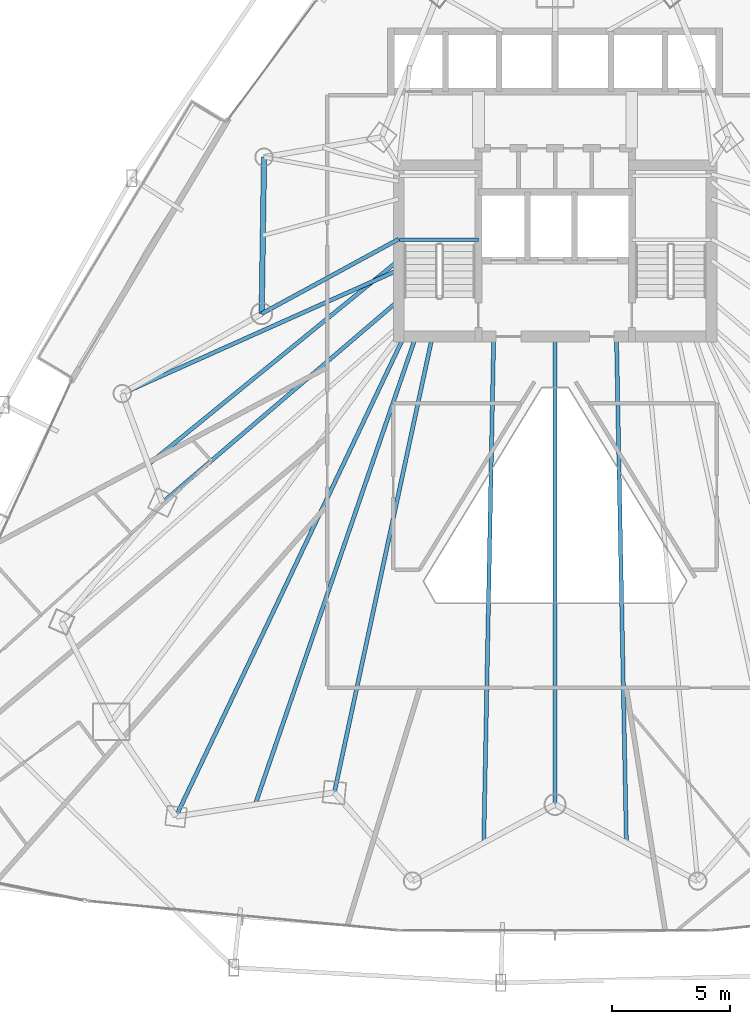
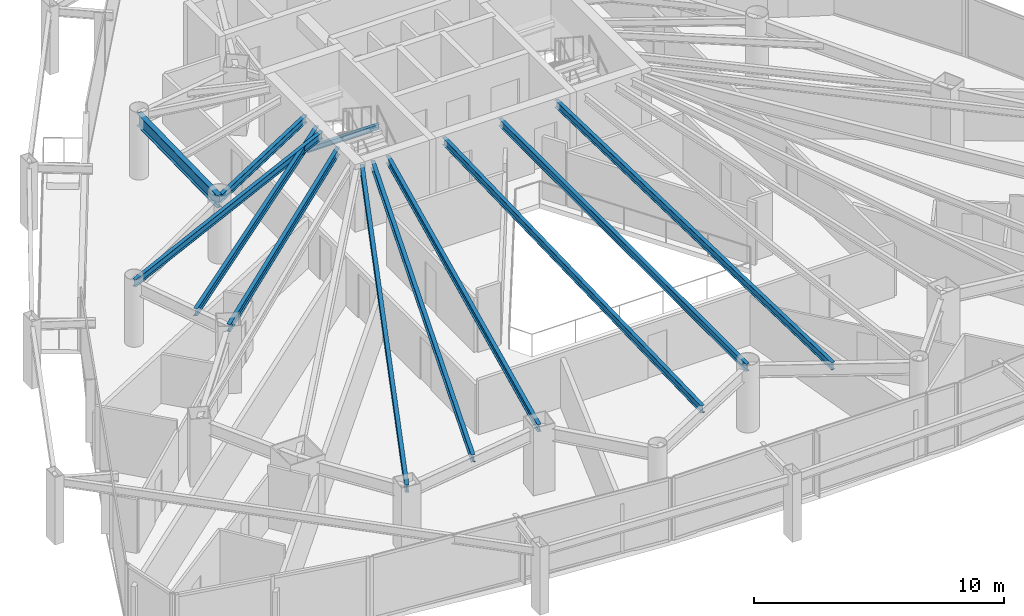
# One storey, part 12 of 38: 12 beams.
"""IFC4 building model written with IfcOpenShell, lengths in metres."""

from ifc_helpers import new_model, si_unit, direction, frame, origin, origin_2d, place, context, subcontext, project, spatial, i_section, extrude, material, material_profile, profile_set, type_object, element, save


model = new_model("IFC4")

# Units and contexts
model_context = context("Model", 3, precision=1e-05, world=origin(), true_north=direction((0.0, 1.0)))
body_context = subcontext(model_context, "Body", "Model", "MODEL_VIEW")
ifc_project = project(units=[si_unit("LENGTHUNIT", "METRE"), si_unit("AREAUNIT", "SQUARE_METRE"), si_unit("VOLUMEUNIT", "CUBIC_METRE"), si_unit("PLANEANGLEUNIT", "RADIAN"), si_unit("MASSUNIT", "GRAM", prefix="KILO")], contexts=[model_context])

# Site, building, storey
site_placement = place(None, origin())
site = spatial("IfcSite", under=ifc_project, at=site_placement, CompositionType="ELEMENT")
building_placement = place(site_placement, origin())
building = spatial("IfcBuilding", under=site, at=building_placement, Name="Orvanel Arch Residences", CompositionType="ELEMENT")
storey_placement = place(building_placement, frame((0.0, 0.0, 43.39990234375)))
storey = spatial("IfcBuildingStorey", under=building, at=storey_placement, Name="L11", CompositionType="ELEMENT", Elevation=43.39990234375)

# Beams
ifc_material = material(Name="Structural steel AS/NZS 3679.1 Grade 300 (300 MPa)", Category="steel")
ifc_material_profile_1 = material_profile(ifc_material, i_section(OverallWidth=0.14599609375, OverallDepth=0.251953125, WebThickness=0.006103515625, FlangeThickness=0.008544921875, at=origin_2d()), Name="250UB31.4")
ifc_profile_set_1 = profile_set([ifc_material_profile_1], Name="Structural steel AS/NZS 3679.1 Grade 300 (300 MPa)")
beam_type_1 = type_object("IfcBeamType", Name="BJ-250UB", PredefinedType="JOIST", material=ifc_profile_set_1)
beam_1_placement = place(storey_placement, frame((26.39990234375, 30.780029296875, 1.32421875), z_axis=(1.0, 0.0, 0.0), x_axis=(0.0, 1.0, 0.0)))
element("IfcBeam", 1, at=beam_1_placement, inside=storey, type_object=beam_type_1, Name="L11 ST-1 Half-Landing Support Beam 1.1", PredefinedType="JOIST", context=body_context, shape_type="SweptSolid", body=[
    extrude(i_section(OverallWidth=0.14599609375, OverallDepth=0.251953125, WebThickness=0.006103515625, FlangeThickness=0.008544921875, at=origin_2d()), origin(), (0.0, 0.0, 1.0), 3.35009765625),
])
ifc_material_profile_2 = material_profile(ifc_material, i_section(OverallWidth=0.1708984375, OverallDepth=0.35595703125, WebThickness=0.00732421875, FlangeThickness=0.011474609375, at=origin_2d()), Name="360UB50.7")
ifc_profile_set_2 = profile_set([ifc_material_profile_2], Name="Structural steel AS/NZS 3679.1 Grade 300 (300 MPa)")
beam_type_2 = type_object("IfcBeamType", Name="BJ-360UB", PredefinedType="JOIST", material=ifc_profile_set_2)
beam_2_placement = place(storey_placement, frame((26.375, 30.800048828125, 2.882080078125), z_axis=(-0.878399029914, -0.477927969726, 0.0), x_axis=(0.477927969726, -0.878399029914, 0.0)))
element("IfcBeam", 2, at=beam_2_placement, inside=storey, type_object=beam_type_2, Name="L11 NW Wing Floor Joist", PredefinedType="JOIST", context=body_context, shape_type="SweptSolid", body=[
    extrude(i_section(OverallWidth=0.1708984375, OverallDepth=0.35595703125, WebThickness=0.00732421875, FlangeThickness=0.011474609375, at=origin_2d()), origin(), (0.0, 0.0, 1.0), 6.609619140625),
])
beam_3_placement = place(storey_placement, frame((26.375, 28.199951171875, 2.882080078125), z_axis=(-0.760024297953, -0.649894658018, 0.0), x_axis=(0.649894658018, -0.760024297953, 0.0)))
element("IfcBeam", 3, at=beam_3_placement, inside=storey, type_object=beam_type_2, Name="L11 W Wing Floor Joist", PredefinedType="JOIST", context=body_context, shape_type="SweptSolid", body=[
    extrude(i_section(OverallWidth=0.1708984375, OverallDepth=0.35595703125, WebThickness=0.00732421875, FlangeThickness=0.011474609375, at=origin_2d()), origin(), (0.0, 0.0, 1.0), 13.16796875),
])
beam_4_placement = place(storey_placement, frame((27.800048828125, 26.675048828125, 2.882080078125), z_axis=(-0.210066515515, -0.977687096703, 0.0), x_axis=(0.977687096703, -0.210066515515, 0.0)))
element("IfcBeam", 4, at=beam_4_placement, inside=storey, type_object=beam_type_2, Name="L11 SW Wing Floor Joist", PredefinedType="JOIST", context=body_context, shape_type="SweptSolid", body=[
    extrude(i_section(OverallWidth=0.1708984375, OverallDepth=0.35595703125, WebThickness=0.00732421875, FlangeThickness=0.011474609375, at=origin_2d()), origin(), (0.0, 0.0, 1.0), 19.760986328125),
])
beam_5_placement = place(storey_placement, frame((33.0, 26.675048828125, 2.882080078125), z_axis=(0.0, -1.0, 0.0), x_axis=(1.0, 0.0, 0.0)))
element("IfcBeam", 5, at=beam_5_placement, inside=storey, type_object=beam_type_2, Name="L11 SSW Wing Floor Joist", PredefinedType="JOIST", context=body_context, shape_type="SweptSolid", body=[
    extrude(i_section(OverallWidth=0.1708984375, OverallDepth=0.35595703125, WebThickness=0.00732421875, FlangeThickness=0.011474609375, at=origin_2d()), origin(), (0.0, 0.0, 1.0), 19.8310546875),
])
for number, where, z_axis, x_axis, name in (
    (6, (30.39990234375, 26.675048828125, 2.882080078125), (-0.019617680075, -0.999807554797, 0.0), (0.999807554797, -0.019617680075, 0.0), "L11 WSW2 Wing Floor Joist"),
    (7, (35.60009765625, 26.675048828125, 2.882080078125), (0.019617680075, -0.999807554797, 0.0), (0.999807554797, 0.019617680075, 0.0), "L11 ESE2 Wing Floor Joist"),
):
    element("IfcBeam", number, at=place(storey_placement, frame(where, z_axis=z_axis, x_axis=x_axis)), inside=storey, type_object=beam_type_2, Name=name, PredefinedType="JOIST", context=body_context, shape_type="SweptSolid", body=[
        extrude(i_section(OverallWidth=0.1708984375, OverallDepth=0.35595703125, WebThickness=0.00732421875, FlangeThickness=0.011474609375, at=origin_2d()), origin(), (0.0, 0.0, 1.0), 21.455078125),
    ])
beam_6_placement = place(storey_placement, frame((26.60009765625, 26.675048828125, 2.882080078125), z_axis=(-0.429042657795, -0.903284228686, 0.0), x_axis=(0.903284228686, -0.429042657795, 0.0)))
element("IfcBeam", 8, at=beam_6_placement, inside=storey, type_object=beam_type_2, Name="L11 MSW Wing Floor Joist", PredefinedType="JOIST", context=body_context, shape_type="SweptSolid", body=[
    extrude(i_section(OverallWidth=0.1708984375, OverallDepth=0.35595703125, WebThickness=0.00732421875, FlangeThickness=0.011474609375, at=origin_2d()), origin(), (0.0, 0.0, 1.0), 22.513427734375),
])
beam_7_placement = place(storey_placement, frame((26.375, 29.5, 2.882080078125), z_axis=(-0.912704378681, -0.408620505038, 0.0), x_axis=(0.408620505038, -0.912704378681, 0.0)))
element("IfcBeam", 9, at=beam_7_placement, inside=storey, type_object=beam_type_2, Name="L11 LSW Wing Floor Joist", PredefinedType="JOIST", context=body_context, shape_type="SweptSolid", body=[
    extrude(i_section(OverallWidth=0.1708984375, OverallDepth=0.35595703125, WebThickness=0.00732421875, FlangeThickness=0.011474609375, at=origin_2d()), origin(), (0.0, 0.0, 1.0), 12.833251953125),
])
beam_8_placement = place(storey_placement, frame((26.375, 29.89990234375, 2.882080078125), z_axis=(-0.775173162495, -0.631748817291, 0.0), x_axis=(0.631748817291, -0.775173162495, 0.0)))
element("IfcBeam", 10, at=beam_8_placement, inside=storey, type_object=beam_type_2, Name="L11 CTW Wing Floor Joist", PredefinedType="JOIST", context=body_context, shape_type="SweptSolid", body=[
    extrude(i_section(OverallWidth=0.1708984375, OverallDepth=0.35595703125, WebThickness=0.00732421875, FlangeThickness=0.011474609375, at=origin_2d()), origin(), (0.0, 0.0, 1.0), 13.680908203125),
])
beam_9_placement = place(storey_placement, frame((27.10009765625, 26.675048828125, 2.882080078125), z_axis=(-0.324621456495, -0.945844019901, 0.0), x_axis=(0.945844019901, -0.324621456495, 0.0)))
element("IfcBeam", 11, at=beam_9_placement, inside=storey, type_object=beam_type_2, Name="L11 JADD1 Wing Floor Joist", PredefinedType="JOIST", context=body_context, shape_type="SweptSolid", body=[
    extrude(i_section(OverallWidth=0.1708984375, OverallDepth=0.35595703125, WebThickness=0.00732421875, FlangeThickness=0.011474609375, at=origin_2d()), origin(), (0.0, 0.0, 1.0), 20.96337890625),
])
ifc_material_profile_3 = material_profile(ifc_material, i_section(OverallWidth=0.22900390625, OverallDepth=0.612060546875, WebThickness=0.011962890625, FlangeThickness=0.01953125, at=origin_2d()), Name="610UB125")
ifc_profile_set_3 = profile_set([ifc_material_profile_3], Name="Structural steel AS/NZS 3679.1 Grade 300 (300 MPa)")
beam_type_3 = type_object("IfcBeamType", Name="SP-610UB", PredefinedType="SPANDREL", material=ifc_profile_set_3)
beam_10_placement = place(storey_placement, frame((20.669921875, 34.27099609375, 2.754150390625), z_axis=(-0.015206666874, -0.999884371956, 0.0), x_axis=(0.999884371956, -0.015206666874, 0.0)))
element("IfcBeam", 12, at=beam_10_placement, inside=storey, type_object=beam_type_3, Name="L11 Perimeter Spandrel Beam 20", PredefinedType="SPANDREL", context=body_context, shape_type="SweptSolid", body=[
    extrude(i_section(OverallWidth=0.22900390625, OverallDepth=0.612060546875, WebThickness=0.011962890625, FlangeThickness=0.01953125, at=origin_2d()), origin(), (0.0, 0.0, 1.0), 6.630615234375),
])

save(model, "model.ifc")
